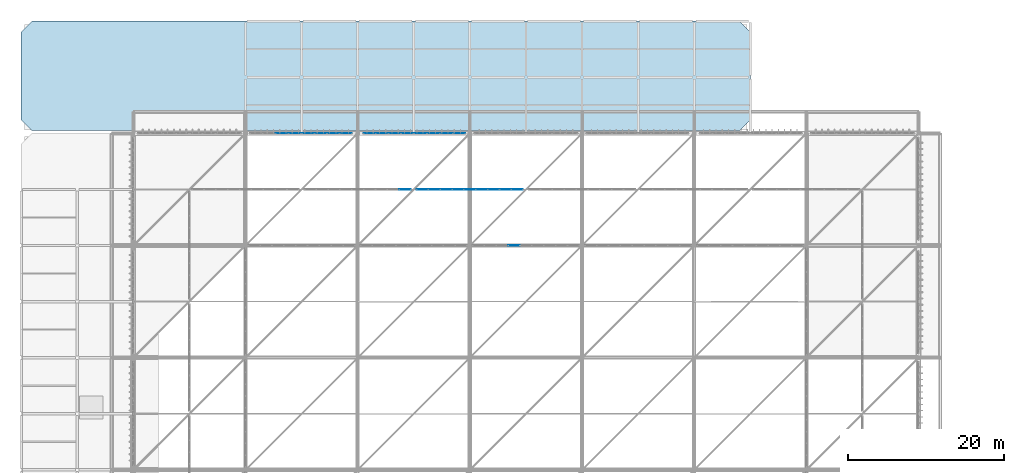
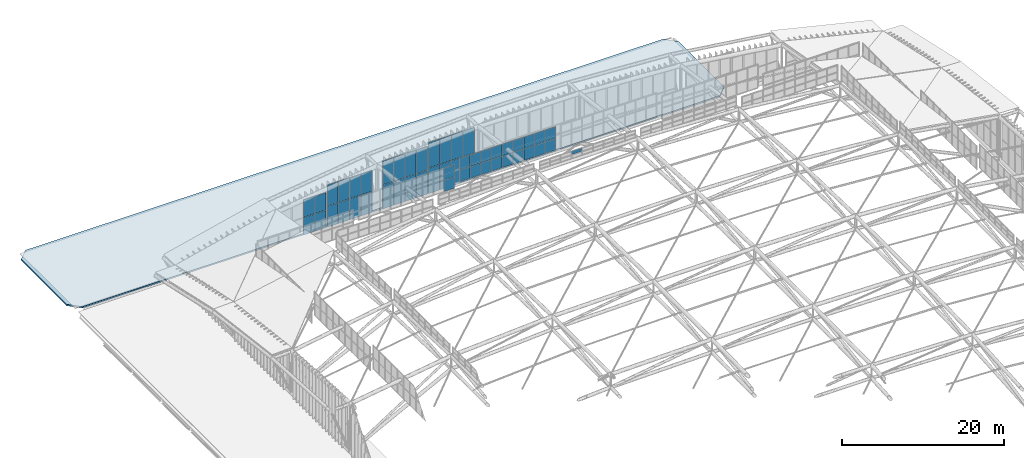
# One storey, part 377 of 397: 49 plates, 1 slab, 7 elements without a shape of their own.
"""IFC4 building model written with IfcOpenShell, lengths in metres."""

from ifc_helpers import new_model, si_unit, direction, frame, origin, origin_2d, place, context, subcontext, project, spatial, polyline, rectangle, outline, extrude, material, layer, layer_set, type_object, element, aggregate, save


model = new_model("IFC4")

# Units and contexts
model_context = context("Model", 3, precision=1e-05, world=origin(), true_north=direction((0.0, 1.0)))
body_context = subcontext(model_context, "Body", "Model", "MODEL_VIEW")
ifc_project = project(units=[si_unit("LENGTHUNIT", "METRE"), si_unit("AREAUNIT", "SQUARE_METRE"), si_unit("VOLUMEUNIT", "CUBIC_METRE"), si_unit("PLANEANGLEUNIT", "RADIAN"), si_unit("MASSUNIT", "GRAM", prefix="KILO")], contexts=[model_context])

# Site, building, storey
site_placement = place(None, origin())
site = spatial("IfcSite", under=ifc_project, at=site_placement, CompositionType="ELEMENT")
building_placement = place(site_placement, origin())
building = spatial("IfcBuilding", under=site, at=building_placement, Name="Qandorah Velis Arena", CompositionType="ELEMENT")
storey_placement = place(building_placement, frame((0.0, 0.0, 27.5)))
storey = spatial("IfcBuildingStorey", under=building, at=storey_placement, Name="RF", CompositionType="ELEMENT", Elevation=27.5)

# Curtain wall, plates
ifc_material_1 = material(Name="Solar-control low-E double glazing", Category="glass")
curtain_wall_type_1 = type_object("IfcCurtainWallType", Name="ARC-CW-SYS02", PredefinedType="USERDEFINED", material=ifc_material_1)
curtain_wall_1_placement = place(storey_placement, origin())
curtain_wall_1 = element("IfcCurtainWall", 1, at=curtain_wall_1_placement, inside=storey, type_object=curtain_wall_type_1, Name="Unitised curtain wall MON-4-2", ObjectType="UNITISED CURTAIN WALL", PredefinedType="USERDEFINED")
ifc_layer_1 = layer(ifc_material_1, 0.030029296875)
ifc_layer_set_1 = layer_set([ifc_layer_1], Name="Solar-control low-E double glazing")
plate_type_1 = type_object("IfcPlateType", Name="ARC-CWP-GLZ30", PredefinedType="CURTAIN_PANEL", material=ifc_layer_set_1)
plate_1_placement = place(storey_placement, frame((49.275146484375, 108.0, 5.3974609375), z_axis=(0.0, 0.0, 1.0), x_axis=(1.0, 0.0, 0.0)))
plate_1 = element("IfcPlate", 2, at=plate_1_placement, type_object=plate_type_1, Name="CW02 panel 9.1", PredefinedType="CURTAIN_PANEL", context=body_context, shape_type="SweptSolid", body=[
    extrude(rectangle(XDim=1.459716796875, YDim=0.030029296875, at=origin_2d()), origin(), (0.0, 0.0, 1.0), 1.737548828125),
])
plate_2_placement = place(storey_placement, frame((49.275146484375, 108.0, 7.17041015625), z_axis=(0.0, 0.0, 1.0), x_axis=(1.0, 0.0, 0.0)))
plate_2 = element("IfcPlate", 3, at=plate_2_placement, type_object=plate_type_1, Name="CW02 panel 9.2", PredefinedType="CURTAIN_PANEL", context=body_context, shape_type="SweptSolid", body=[
    extrude(rectangle(XDim=1.459716796875, YDim=0.030029296875, at=origin_2d()), origin(), (0.0, 0.0, 1.0), 1.737548828125),
])
aggregate(curtain_wall_1, [plate_1, plate_2])

curtain_wall_type_2 = type_object("IfcCurtainWallType", Name="ARC-CW-SYS03", PredefinedType="USERDEFINED", material=ifc_material_1)
curtain_wall_2_placement = place(storey_placement, origin())
curtain_wall_2 = element("IfcCurtainWall", 4, at=curtain_wall_2_placement, inside=storey, type_object=curtain_wall_type_2, Name="Unitised curtain wall MON-4-3", ObjectType="UNITISED CURTAIN WALL", PredefinedType="USERDEFINED")
plate_3_placement = place(storey_placement, frame((51.52490234375, 108.0, 6.12451171875), z_axis=(0.0, 0.0, 1.0), x_axis=(1.0, 0.0, 0.0)))
plate_3 = element("IfcPlate", 5, at=plate_3_placement, type_object=plate_type_1, Name="CW03 panel 1.1", PredefinedType="CURTAIN_PANEL", context=body_context, shape_type="SweptSolid", body=[
    extrude(rectangle(XDim=1.459716796875, YDim=0.030029296875, at=origin_2d()), origin(), (0.0, 0.0, 1.0), 1.737548828125),
])
plate_4_placement = place(storey_placement, frame((51.52490234375, 108.0, 7.89697265625), z_axis=(0.0, 0.0, 1.0), x_axis=(1.0, 0.0, 0.0)))
plate_4 = element("IfcPlate", 6, at=plate_4_placement, type_object=plate_type_1, Name="CW03 panel 1.2", PredefinedType="CURTAIN_PANEL", context=body_context, shape_type="SweptSolid", body=[
    extrude(rectangle(XDim=1.459716796875, YDim=0.030029296875, at=origin_2d()), origin(), (0.0, 0.0, 1.0), 1.737548828125),
])
plate_5_placement = place(storey_placement, frame((53.033447265625, 108.0, 6.12451171875), z_axis=(0.0, 0.0, 1.0), x_axis=(1.0, 0.0, 0.0)))
plate_5 = element("IfcPlate", 7, at=plate_5_placement, type_object=plate_type_1, Name="CW03 panel 2.1", PredefinedType="CURTAIN_PANEL", context=body_context, shape_type="SweptSolid", body=[
    extrude(rectangle(XDim=1.4873046875, YDim=0.030029296875, at=origin_2d()), origin(), (0.0, 0.0, 1.0), 1.737548828125),
])
plate_6_placement = place(storey_placement, frame((53.033447265625, 108.0, 7.89697265625), z_axis=(0.0, 0.0, 1.0), x_axis=(1.0, 0.0, 0.0)))
plate_6 = element("IfcPlate", 8, at=plate_6_placement, type_object=plate_type_1, Name="CW03 panel 2.2", PredefinedType="CURTAIN_PANEL", context=body_context, shape_type="SweptSolid", body=[
    extrude(rectangle(XDim=1.4873046875, YDim=0.030029296875, at=origin_2d()), origin(), (0.0, 0.0, 1.0), 1.737548828125),
])
plate_7_placement = place(storey_placement, frame((54.5556640625, 108.0, 6.12451171875), z_axis=(0.0, 0.0, 1.0), x_axis=(1.0, 0.0, 0.0)))
plate_7 = element("IfcPlate", 9, at=plate_7_placement, type_object=plate_type_1, Name="CW03 panel 3.1", PredefinedType="CURTAIN_PANEL", context=body_context, shape_type="SweptSolid", body=[
    extrude(rectangle(XDim=1.4873046875, YDim=0.030029296875, at=origin_2d()), origin(), (0.0, 0.0, 1.0), 1.737548828125),
])
plate_8_placement = place(storey_placement, frame((54.5556640625, 108.0, 7.89697265625), z_axis=(0.0, 0.0, 1.0), x_axis=(1.0, 0.0, 0.0)))
plate_8 = element("IfcPlate", 10, at=plate_8_placement, type_object=plate_type_1, Name="CW03 panel 3.2", PredefinedType="CURTAIN_PANEL", context=body_context, shape_type="SweptSolid", body=[
    extrude(rectangle(XDim=1.4873046875, YDim=0.030029296875, at=origin_2d()), origin(), (0.0, 0.0, 1.0), 1.737548828125),
])
plate_9_placement = place(storey_placement, frame((56.077880859375, 108.0, 6.12451171875), z_axis=(0.0, 0.0, 1.0), x_axis=(1.0, 0.0, 0.0)))
plate_9 = element("IfcPlate", 11, at=plate_9_placement, type_object=plate_type_1, Name="CW03 panel 4.1", PredefinedType="CURTAIN_PANEL", context=body_context, shape_type="SweptSolid", body=[
    extrude(rectangle(XDim=1.4873046875, YDim=0.030029296875, at=origin_2d()), origin(), (0.0, 0.0, 1.0), 1.737548828125),
])
plate_10_placement = place(storey_placement, frame((56.077880859375, 108.0, 7.89697265625), z_axis=(0.0, 0.0, 1.0), x_axis=(1.0, 0.0, 0.0)))
plate_10 = element("IfcPlate", 12, at=plate_10_placement, type_object=plate_type_1, Name="CW03 panel 4.2", PredefinedType="CURTAIN_PANEL", context=body_context, shape_type="SweptSolid", body=[
    extrude(rectangle(XDim=1.4873046875, YDim=0.030029296875, at=origin_2d()), origin(), (0.0, 0.0, 1.0), 1.737548828125),
])
plate_11_placement = place(storey_placement, frame((57.60009765625, 108.0, 6.12451171875), z_axis=(0.0, 0.0, 1.0), x_axis=(1.0, 0.0, 0.0)))
plate_11 = element("IfcPlate", 13, at=plate_11_placement, type_object=plate_type_1, Name="CW03 panel 5.1", PredefinedType="CURTAIN_PANEL", context=body_context, shape_type="SweptSolid", body=[
    extrude(rectangle(XDim=1.4873046875, YDim=0.030029296875, at=origin_2d()), origin(), (0.0, 0.0, 1.0), 1.737548828125),
])
plate_12_placement = place(storey_placement, frame((57.60009765625, 108.0, 7.89697265625), z_axis=(0.0, 0.0, 1.0), x_axis=(1.0, 0.0, 0.0)))
plate_12 = element("IfcPlate", 14, at=plate_12_placement, type_object=plate_type_1, Name="CW03 panel 5.2", PredefinedType="CURTAIN_PANEL", context=body_context, shape_type="SweptSolid", body=[
    extrude(rectangle(XDim=1.4873046875, YDim=0.030029296875, at=origin_2d()), origin(), (0.0, 0.0, 1.0), 1.737548828125),
])
plate_13_placement = place(storey_placement, frame((59.122314453125, 108.0, 6.12451171875), z_axis=(0.0, 0.0, 1.0), x_axis=(1.0, 0.0, 0.0)))
plate_13 = element("IfcPlate", 15, at=plate_13_placement, type_object=plate_type_1, Name="CW03 panel 6.1", PredefinedType="CURTAIN_PANEL", context=body_context, shape_type="SweptSolid", body=[
    extrude(rectangle(XDim=1.4873046875, YDim=0.030029296875, at=origin_2d()), origin(), (0.0, 0.0, 1.0), 1.737548828125),
])
plate_14_placement = place(storey_placement, frame((59.122314453125, 108.0, 7.89697265625), z_axis=(0.0, 0.0, 1.0), x_axis=(1.0, 0.0, 0.0)))
plate_14 = element("IfcPlate", 16, at=plate_14_placement, type_object=plate_type_1, Name="CW03 panel 6.2", PredefinedType="CURTAIN_PANEL", context=body_context, shape_type="SweptSolid", body=[
    extrude(rectangle(XDim=1.4873046875, YDim=0.030029296875, at=origin_2d()), origin(), (0.0, 0.0, 1.0), 1.737548828125),
])
plate_15_placement = place(storey_placement, frame((60.64453125, 108.0, 6.12451171875), z_axis=(0.0, 0.0, 1.0), x_axis=(1.0, 0.0, 0.0)))
plate_15 = element("IfcPlate", 17, at=plate_15_placement, type_object=plate_type_1, Name="CW03 panel 7.1", PredefinedType="CURTAIN_PANEL", context=body_context, shape_type="SweptSolid", body=[
    extrude(rectangle(XDim=1.4873046875, YDim=0.030029296875, at=origin_2d()), origin(), (0.0, 0.0, 1.0), 1.737548828125),
])
plate_16_placement = place(storey_placement, frame((60.64453125, 108.0, 7.89697265625), z_axis=(0.0, 0.0, 1.0), x_axis=(1.0, 0.0, 0.0)))
plate_16 = element("IfcPlate", 18, at=plate_16_placement, type_object=plate_type_1, Name="CW03 panel 7.2", PredefinedType="CURTAIN_PANEL", context=body_context, shape_type="SweptSolid", body=[
    extrude(rectangle(XDim=1.4873046875, YDim=0.030029296875, at=origin_2d()), origin(), (0.0, 0.0, 1.0), 1.737548828125),
])
plate_17_placement = place(storey_placement, frame((62.166748046875, 108.0, 6.12451171875), z_axis=(0.0, 0.0, 1.0), x_axis=(1.0, 0.0, 0.0)))
plate_17 = element("IfcPlate", 19, at=plate_17_placement, type_object=plate_type_1, Name="CW03 panel 8.1", PredefinedType="CURTAIN_PANEL", context=body_context, shape_type="SweptSolid", body=[
    extrude(rectangle(XDim=1.4873046875, YDim=0.030029296875, at=origin_2d()), origin(), (0.0, 0.0, 1.0), 1.737548828125),
])
plate_18_placement = place(storey_placement, frame((62.166748046875, 108.0, 7.89697265625), z_axis=(0.0, 0.0, 1.0), x_axis=(1.0, 0.0, 0.0)))
plate_18 = element("IfcPlate", 20, at=plate_18_placement, type_object=plate_type_1, Name="CW03 panel 8.2", PredefinedType="CURTAIN_PANEL", context=body_context, shape_type="SweptSolid", body=[
    extrude(rectangle(XDim=1.4873046875, YDim=0.030029296875, at=origin_2d()), origin(), (0.0, 0.0, 1.0), 1.737548828125),
])
plate_19_placement = place(storey_placement, frame((63.675048828125, 108.0, 6.12451171875), z_axis=(0.0, 0.0, 1.0), x_axis=(1.0, 0.0, 0.0)))
plate_19 = element("IfcPlate", 21, at=plate_19_placement, type_object=plate_type_1, Name="CW03 panel 9.1", PredefinedType="CURTAIN_PANEL", context=body_context, shape_type="SweptSolid", body=[
    extrude(rectangle(XDim=1.459716796875, YDim=0.030029296875, at=origin_2d()), origin(), (0.0, 0.0, 1.0), 1.737548828125),
])
plate_20_placement = place(storey_placement, frame((63.675048828125, 108.0, 7.89697265625), z_axis=(0.0, 0.0, 1.0), x_axis=(1.0, 0.0, 0.0)))
plate_20 = element("IfcPlate", 22, at=plate_20_placement, type_object=plate_type_1, Name="CW03 panel 9.2", PredefinedType="CURTAIN_PANEL", context=body_context, shape_type="SweptSolid", body=[
    extrude(rectangle(XDim=1.459716796875, YDim=0.030029296875, at=origin_2d()), origin(), (0.0, 0.0, 1.0), 1.737548828125),
])
aggregate(curtain_wall_2, [plate_3, plate_4, plate_5, plate_6, plate_7, plate_8, plate_9, plate_10, plate_11, plate_12, plate_13, plate_14, plate_15, plate_16, plate_17, plate_18, plate_19, plate_20])

# Curtain wall, plate
curtain_wall_type_3 = type_object("IfcCurtainWallType", Name="ARC-CW-SYS23", PredefinedType="USERDEFINED", material=ifc_material_1)
curtain_wall_3_placement = place(storey_placement, origin())
curtain_wall_3 = element("IfcCurtainWall", 23, at=curtain_wall_3_placement, inside=storey, type_object=curtain_wall_type_3, Name="Unitised curtain wall OCULUS-4-3", ObjectType="UNITISED CURTAIN WALL", PredefinedType="USERDEFINED")
plate_21_placement = place(storey_placement, frame((63.27783203125, 100.800048828125, 10.43310546875), z_axis=(0.0, 0.0, 1.0), x_axis=(1.0, 0.0, 0.0)))
plate_21 = element("IfcPlate", 24, at=plate_21_placement, type_object=plate_type_1, Name="CW23 panel 4.2", PredefinedType="CURTAIN_PANEL", context=body_context, shape_type="SweptSolid", body=[
    extrude(rectangle(XDim=1.4873046875, YDim=0.030029296875, at=origin_2d()), origin(), (0.0, 0.0, 1.0), 0.521728515625),
])
aggregate(curtain_wall_3, [plate_21])

# Curtain wall, plates
curtain_wall_4_placement = place(storey_placement, origin())
curtain_wall_4 = element("IfcCurtainWall", 25, at=curtain_wall_4_placement, inside=storey, type_object=curtain_wall_type_1, Name="Unitised curtain wall CROWN-4-02S1", ObjectType="UNITISED CURTAIN WALL", PredefinedType="USERDEFINED")
ifc_layer_2 = layer(ifc_material_1, 0.035888671875)
ifc_layer_set_2 = layer_set([ifc_layer_2], Name="Solar-control low-E double glazing")
plate_type_2 = type_object("IfcPlateType", Name="ARC-CWP-GLZ36", PredefinedType="CURTAIN_PANEL", material=ifc_layer_set_2)
plate_22_placement = place(storey_placement, frame((33.481201171875, 115.199951171875, 0.0498046875), z_axis=(0.0, 0.0, 1.0), x_axis=(1.0, 0.0, 0.0)))
plate_22 = element("IfcPlate", 26, at=plate_22_placement, type_object=plate_type_2, Name="CW02 panel 3.1", PredefinedType="CURTAIN_PANEL", context=body_context, shape_type="SweptSolid", body=[
    extrude(rectangle(XDim=1.612548828125, YDim=0.035888671875, at=origin_2d()), origin(), (0.0, 0.0, 1.0), 2.630615234375),
])
plate_23_placement = place(storey_placement, frame((33.481201171875, 115.199951171875, 2.720458984375), z_axis=(0.0, 0.0, 1.0), x_axis=(1.0, 0.0, 0.0)))
plate_23 = element("IfcPlate", 27, at=plate_23_placement, type_object=plate_type_2, Name="CW02 panel 3.2", PredefinedType="CURTAIN_PANEL", context=body_context, shape_type="SweptSolid", body=[
    extrude(rectangle(XDim=1.612548828125, YDim=0.035888671875, at=origin_2d()), origin(), (0.0, 0.0, 1.0), 2.63037109375),
])
plate_24_placement = place(storey_placement, frame((35.11865234375, 115.199951171875, 0.0498046875), z_axis=(0.0, 0.0, 1.0), x_axis=(1.0, 0.0, 0.0)))
plate_24 = element("IfcPlate", 28, at=plate_24_placement, type_object=plate_type_2, Name="CW02 panel 4.1", PredefinedType="CURTAIN_PANEL", context=body_context, shape_type="SweptSolid", body=[
    extrude(rectangle(XDim=1.58251953125, YDim=0.035888671875, at=origin_2d()), origin(), (0.0, 0.0, 1.0), 2.630615234375),
])
plate_25_placement = place(storey_placement, frame((35.11865234375, 115.199951171875, 2.720458984375), z_axis=(0.0, 0.0, 1.0), x_axis=(1.0, 0.0, 0.0)))
plate_25 = element("IfcPlate", 29, at=plate_25_placement, type_object=plate_type_2, Name="CW02 panel 4.2", PredefinedType="CURTAIN_PANEL", context=body_context, shape_type="SweptSolid", body=[
    extrude(rectangle(XDim=1.58251953125, YDim=0.035888671875, at=origin_2d()), origin(), (0.0, 0.0, 1.0), 2.63037109375),
])
aggregate(curtain_wall_4, [plate_22, plate_23, plate_24, plate_25])

curtain_wall_5_placement = place(storey_placement, origin())
curtain_wall_5 = element("IfcCurtainWall", 30, at=curtain_wall_5_placement, inside=storey, type_object=curtain_wall_type_2, Name="Unitised curtain wall CROWN-4-02S2", ObjectType="UNITISED CURTAIN WALL", PredefinedType="USERDEFINED")
plate_26_placement = place(storey_placement, frame((36.859375, 115.199951171875, 0.050048828125), z_axis=(0.0, 0.0, 1.0), x_axis=(1.0, 0.0, 0.0)))
plate_26 = element("IfcPlate", 31, at=plate_26_placement, type_object=plate_type_2, Name="CW03 panel 1.1", PredefinedType="CURTAIN_PANEL", context=body_context, shape_type="SweptSolid", body=[
    extrude(rectangle(XDim=1.538818359375, YDim=0.035888671875, at=origin_2d()), origin(), (0.0, 0.0, 1.0), 3.14990234375),
])
plate_27_placement = place(storey_placement, frame((36.859375, 115.199951171875, 3.23974609375), z_axis=(0.0, 0.0, 1.0), x_axis=(1.0, 0.0, 0.0)))
plate_27 = element("IfcPlate", 32, at=plate_27_placement, type_object=plate_type_2, Name="CW03 panel 1.2", PredefinedType="CURTAIN_PANEL", context=body_context, shape_type="SweptSolid", body=[
    extrude(rectangle(XDim=1.538818359375, YDim=0.035888671875, at=origin_2d()), origin(), (0.0, 0.0, 1.0), 3.14990234375),
])
plate_28_placement = place(storey_placement, frame((38.453125, 115.199951171875, 0.050048828125), z_axis=(0.0, 0.0, 1.0), x_axis=(1.0, 0.0, 0.0)))
plate_28 = element("IfcPlate", 33, at=plate_28_placement, type_object=plate_type_2, Name="CW03 panel 2.1", PredefinedType="CURTAIN_PANEL", context=body_context, shape_type="SweptSolid", body=[
    extrude(rectangle(XDim=1.56884765625, YDim=0.035888671875, at=origin_2d()), origin(), (0.0, 0.0, 1.0), 3.14990234375),
])
plate_29_placement = place(storey_placement, frame((38.453125, 115.199951171875, 3.23974609375), z_axis=(0.0, 0.0, 1.0), x_axis=(1.0, 0.0, 0.0)))
plate_29 = element("IfcPlate", 34, at=plate_29_placement, type_object=plate_type_2, Name="CW03 panel 2.2", PredefinedType="CURTAIN_PANEL", context=body_context, shape_type="SweptSolid", body=[
    extrude(rectangle(XDim=1.56884765625, YDim=0.035888671875, at=origin_2d()), origin(), (0.0, 0.0, 1.0), 3.14990234375),
])
plate_30_placement = place(storey_placement, frame((40.061767578125, 115.199951171875, 0.050048828125), z_axis=(0.0, 0.0, 1.0), x_axis=(1.0, 0.0, 0.0)))
plate_30 = element("IfcPlate", 35, at=plate_30_placement, type_object=plate_type_2, Name="CW03 panel 3.1", PredefinedType="CURTAIN_PANEL", context=body_context, shape_type="SweptSolid", body=[
    extrude(rectangle(XDim=1.56884765625, YDim=0.035888671875, at=origin_2d()), origin(), (0.0, 0.0, 1.0), 3.14990234375),
])
plate_31_placement = place(storey_placement, frame((40.061767578125, 115.199951171875, 3.23974609375), z_axis=(0.0, 0.0, 1.0), x_axis=(1.0, 0.0, 0.0)))
plate_31 = element("IfcPlate", 36, at=plate_31_placement, type_object=plate_type_2, Name="CW03 panel 3.2", PredefinedType="CURTAIN_PANEL", context=body_context, shape_type="SweptSolid", body=[
    extrude(rectangle(XDim=1.56884765625, YDim=0.035888671875, at=origin_2d()), origin(), (0.0, 0.0, 1.0), 3.14990234375),
])
plate_32_placement = place(storey_placement, frame((41.655517578125, 115.199951171875, 0.050048828125), z_axis=(0.0, 0.0, 1.0), x_axis=(1.0, 0.0, 0.0)))
plate_32 = element("IfcPlate", 37, at=plate_32_placement, type_object=plate_type_2, Name="CW03 panel 4.1", PredefinedType="CURTAIN_PANEL", context=body_context, shape_type="SweptSolid", body=[
    extrude(rectangle(XDim=1.538818359375, YDim=0.035888671875, at=origin_2d()), origin(), (0.0, 0.0, 1.0), 3.14990234375),
])
plate_33_placement = place(storey_placement, frame((41.655517578125, 115.199951171875, 3.23974609375), z_axis=(0.0, 0.0, 1.0), x_axis=(1.0, 0.0, 0.0)))
plate_33 = element("IfcPlate", 38, at=plate_33_placement, type_object=plate_type_2, Name="CW03 panel 4.2", PredefinedType="CURTAIN_PANEL", context=body_context, shape_type="SweptSolid", body=[
    extrude(rectangle(XDim=1.538818359375, YDim=0.035888671875, at=origin_2d()), origin(), (0.0, 0.0, 1.0), 3.14990234375),
])
aggregate(curtain_wall_5, [plate_26, plate_27, plate_28, plate_29, plate_30, plate_31, plate_32, plate_33])

curtain_wall_6_placement = place(storey_placement, origin())
curtain_wall_6 = element("IfcCurtainWall", 39, at=curtain_wall_6_placement, inside=storey, type_object=curtain_wall_type_2, Name="Unitised curtain wall CROWN-4-03S1", ObjectType="UNITISED CURTAIN WALL", PredefinedType="USERDEFINED")
plate_34_placement = place(storey_placement, frame((44.744384765625, 115.199951171875, 0.0498046875), z_axis=(0.0, 0.0, 1.0), x_axis=(1.0, 0.0, 0.0)))
plate_34 = element("IfcPlate", 40, at=plate_34_placement, type_object=plate_type_2, Name="CW03 panel 1.1", PredefinedType="CURTAIN_PANEL", context=body_context, shape_type="SweptSolid", body=[
    extrude(rectangle(XDim=1.538818359375, YDim=0.035888671875, at=origin_2d()), origin(), (0.0, 0.0, 1.0), 3.579833984375),
])
plate_35_placement = place(storey_placement, frame((44.744384765625, 115.199951171875, 3.669921875), z_axis=(0.0, 0.0, 1.0), x_axis=(1.0, 0.0, 0.0)))
plate_35 = element("IfcPlate", 41, at=plate_35_placement, type_object=plate_type_2, Name="CW03 panel 1.2", PredefinedType="CURTAIN_PANEL", context=body_context, shape_type="SweptSolid", body=[
    extrude(rectangle(XDim=1.538818359375, YDim=0.035888671875, at=origin_2d()), origin(), (0.0, 0.0, 1.0), 3.579833984375),
])
plate_36_placement = place(storey_placement, frame((46.338134765625, 115.199951171875, 0.0498046875), z_axis=(0.0, 0.0, 1.0), x_axis=(1.0, 0.0, 0.0)))
plate_36 = element("IfcPlate", 42, at=plate_36_placement, type_object=plate_type_2, Name="CW03 panel 2.1", PredefinedType="CURTAIN_PANEL", context=body_context, shape_type="SweptSolid", body=[
    extrude(rectangle(XDim=1.56884765625, YDim=0.035888671875, at=origin_2d()), origin(), (0.0, 0.0, 1.0), 3.579833984375),
])
plate_37_placement = place(storey_placement, frame((46.338134765625, 115.199951171875, 3.669921875), z_axis=(0.0, 0.0, 1.0), x_axis=(1.0, 0.0, 0.0)))
plate_37 = element("IfcPlate", 43, at=plate_37_placement, type_object=plate_type_2, Name="CW03 panel 2.2", PredefinedType="CURTAIN_PANEL", context=body_context, shape_type="SweptSolid", body=[
    extrude(rectangle(XDim=1.56884765625, YDim=0.035888671875, at=origin_2d()), origin(), (0.0, 0.0, 1.0), 3.579833984375),
])
plate_38_placement = place(storey_placement, frame((47.94677734375, 115.199951171875, 0.0498046875), z_axis=(0.0, 0.0, 1.0), x_axis=(1.0, 0.0, 0.0)))
plate_38 = element("IfcPlate", 44, at=plate_38_placement, type_object=plate_type_2, Name="CW03 panel 3.1", PredefinedType="CURTAIN_PANEL", context=body_context, shape_type="SweptSolid", body=[
    extrude(rectangle(XDim=1.56884765625, YDim=0.035888671875, at=origin_2d()), origin(), (0.0, 0.0, 1.0), 3.579833984375),
])
plate_39_placement = place(storey_placement, frame((47.94677734375, 115.199951171875, 3.669921875), z_axis=(0.0, 0.0, 1.0), x_axis=(1.0, 0.0, 0.0)))
plate_39 = element("IfcPlate", 45, at=plate_39_placement, type_object=plate_type_2, Name="CW03 panel 3.2", PredefinedType="CURTAIN_PANEL", context=body_context, shape_type="SweptSolid", body=[
    extrude(rectangle(XDim=1.56884765625, YDim=0.035888671875, at=origin_2d()), origin(), (0.0, 0.0, 1.0), 3.579833984375),
])
plate_40_placement = place(storey_placement, frame((49.54052734375, 115.199951171875, 0.0498046875), z_axis=(0.0, 0.0, 1.0), x_axis=(1.0, 0.0, 0.0)))
plate_40 = element("IfcPlate", 46, at=plate_40_placement, type_object=plate_type_2, Name="CW03 panel 4.1", PredefinedType="CURTAIN_PANEL", context=body_context, shape_type="SweptSolid", body=[
    extrude(rectangle(XDim=1.538818359375, YDim=0.035888671875, at=origin_2d()), origin(), (0.0, 0.0, 1.0), 3.579833984375),
])
plate_41_placement = place(storey_placement, frame((49.54052734375, 115.199951171875, 3.669921875), z_axis=(0.0, 0.0, 1.0), x_axis=(1.0, 0.0, 0.0)))
plate_41 = element("IfcPlate", 47, at=plate_41_placement, type_object=plate_type_2, Name="CW03 panel 4.2", PredefinedType="CURTAIN_PANEL", context=body_context, shape_type="SweptSolid", body=[
    extrude(rectangle(XDim=1.538818359375, YDim=0.035888671875, at=origin_2d()), origin(), (0.0, 0.0, 1.0), 3.579833984375),
])
aggregate(curtain_wall_6, [plate_34, plate_35, plate_36, plate_37, plate_38, plate_39, plate_40, plate_41])

curtain_wall_type_4 = type_object("IfcCurtainWallType", Name="ARC-CW-SYS04", PredefinedType="USERDEFINED", material=ifc_material_1)
curtain_wall_7_placement = place(storey_placement, origin())
curtain_wall_7 = element("IfcCurtainWall", 48, at=curtain_wall_7_placement, inside=storey, type_object=curtain_wall_type_4, Name="Unitised curtain wall CROWN-4-03S2", ObjectType="UNITISED CURTAIN WALL", PredefinedType="USERDEFINED")
plate_42_placement = place(storey_placement, frame((51.28125, 115.199951171875, 0.0498046875), z_axis=(0.0, 0.0, 1.0), x_axis=(1.0, 0.0, 0.0)))
plate_42 = element("IfcPlate", 49, at=plate_42_placement, type_object=plate_type_2, Name="CW04 panel 1.1", PredefinedType="CURTAIN_PANEL", context=body_context, shape_type="SweptSolid", body=[
    extrude(rectangle(XDim=1.58251953125, YDim=0.035888671875, at=origin_2d()), origin(), (0.0, 0.0, 1.0), 3.828369140625),
])
plate_43_placement = place(storey_placement, frame((51.28125, 115.199951171875, 3.91845703125), z_axis=(0.0, 0.0, 1.0), x_axis=(1.0, 0.0, 0.0)))
plate_43 = element("IfcPlate", 50, at=plate_43_placement, type_object=plate_type_2, Name="CW04 panel 1.2", PredefinedType="CURTAIN_PANEL", context=body_context, shape_type="SweptSolid", body=[
    extrude(rectangle(XDim=1.58251953125, YDim=0.035888671875, at=origin_2d()), origin(), (0.0, 0.0, 1.0), 3.828125),
])
plate_44_placement = place(storey_placement, frame((52.918701171875, 115.199951171875, 0.0498046875), z_axis=(0.0, 0.0, 1.0), x_axis=(1.0, 0.0, 0.0)))
plate_44 = element("IfcPlate", 51, at=plate_44_placement, type_object=plate_type_2, Name="CW04 panel 2.1", PredefinedType="CURTAIN_PANEL", context=body_context, shape_type="SweptSolid", body=[
    extrude(rectangle(XDim=1.612548828125, YDim=0.035888671875, at=origin_2d()), origin(), (0.0, 0.0, 1.0), 3.828369140625),
])
plate_45_placement = place(storey_placement, frame((52.918701171875, 115.199951171875, 3.91845703125), z_axis=(0.0, 0.0, 1.0), x_axis=(1.0, 0.0, 0.0)))
plate_45 = element("IfcPlate", 52, at=plate_45_placement, type_object=plate_type_2, Name="CW04 panel 2.2", PredefinedType="CURTAIN_PANEL", context=body_context, shape_type="SweptSolid", body=[
    extrude(rectangle(XDim=1.612548828125, YDim=0.035888671875, at=origin_2d()), origin(), (0.0, 0.0, 1.0), 3.828125),
])
plate_46_placement = place(storey_placement, frame((54.5712890625, 115.199951171875, 0.0498046875), z_axis=(0.0, 0.0, 1.0), x_axis=(1.0, 0.0, 0.0)))
plate_46 = element("IfcPlate", 53, at=plate_46_placement, type_object=plate_type_2, Name="CW04 panel 3.1", PredefinedType="CURTAIN_PANEL", context=body_context, shape_type="SweptSolid", body=[
    extrude(rectangle(XDim=1.612548828125, YDim=0.035888671875, at=origin_2d()), origin(), (0.0, 0.0, 1.0), 3.828369140625),
])
plate_47_placement = place(storey_placement, frame((54.5712890625, 115.199951171875, 3.91845703125), z_axis=(0.0, 0.0, 1.0), x_axis=(1.0, 0.0, 0.0)))
plate_47 = element("IfcPlate", 54, at=plate_47_placement, type_object=plate_type_2, Name="CW04 panel 3.2", PredefinedType="CURTAIN_PANEL", context=body_context, shape_type="SweptSolid", body=[
    extrude(rectangle(XDim=1.612548828125, YDim=0.035888671875, at=origin_2d()), origin(), (0.0, 0.0, 1.0), 3.828125),
])
plate_48_placement = place(storey_placement, frame((56.208740234375, 115.199951171875, 0.0498046875), z_axis=(0.0, 0.0, 1.0), x_axis=(1.0, 0.0, 0.0)))
plate_48 = element("IfcPlate", 55, at=plate_48_placement, type_object=plate_type_2, Name="CW04 panel 4.1", PredefinedType="CURTAIN_PANEL", context=body_context, shape_type="SweptSolid", body=[
    extrude(rectangle(XDim=1.58251953125, YDim=0.035888671875, at=origin_2d()), origin(), (0.0, 0.0, 1.0), 3.828369140625),
])
plate_49_placement = place(storey_placement, frame((56.208740234375, 115.199951171875, 3.91845703125), z_axis=(0.0, 0.0, 1.0), x_axis=(1.0, 0.0, 0.0)))
plate_49 = element("IfcPlate", 56, at=plate_49_placement, type_object=plate_type_2, Name="CW04 panel 4.2", PredefinedType="CURTAIN_PANEL", context=body_context, shape_type="SweptSolid", body=[
    extrude(rectangle(XDim=1.58251953125, YDim=0.035888671875, at=origin_2d()), origin(), (0.0, 0.0, 1.0), 3.828125),
])
aggregate(curtain_wall_7, [plate_42, plate_43, plate_44, plate_45, plate_46, plate_47, plate_48, plate_49])

# Slab
ifc_material_2 = material(Name="Concrete C40/50", Category="concrete")
ifc_layer_3 = layer(ifc_material_2, 0.219970703125)
ifc_layer_set_3 = layer_set([ifc_layer_3], Name="Concrete C40/50")
slab_type = type_object("IfcSlabType", Name="STR-SLB-RF220", PredefinedType="ROOF", material=ifc_layer_set_3)
slab_placement = place(storey_placement, frame((0.0, 0.0, -0.219970703125)))
element("IfcSlab", 57, at=slab_placement, inside=storey, type_object=slab_type, Name="Roof slab SLB-ROOF-SKY-N", PredefinedType="ROOF", context=body_context, shape_type="SweptSolid", body=[
    extrude(outline(polyline([(1.39990234375, 115.550048828125), (92.199951171875, 115.550048828125), (93.60009765625, 116.949951171875), (93.60009765625, 128.199951171875), (92.199951171875, 129.60009765625), (1.39990234375, 129.60009765625), (0.0, 128.199951171875), (0.0, 116.949951171875), (1.39990234375, 115.550048828125)])), origin(), (0.0, 0.0, 1.0), 0.219970703125),
])

save(model, "model.ifc")
